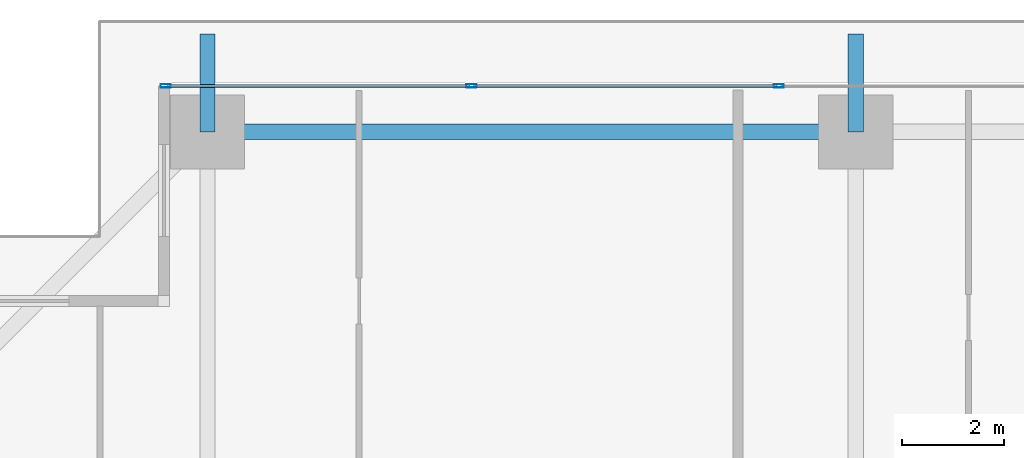
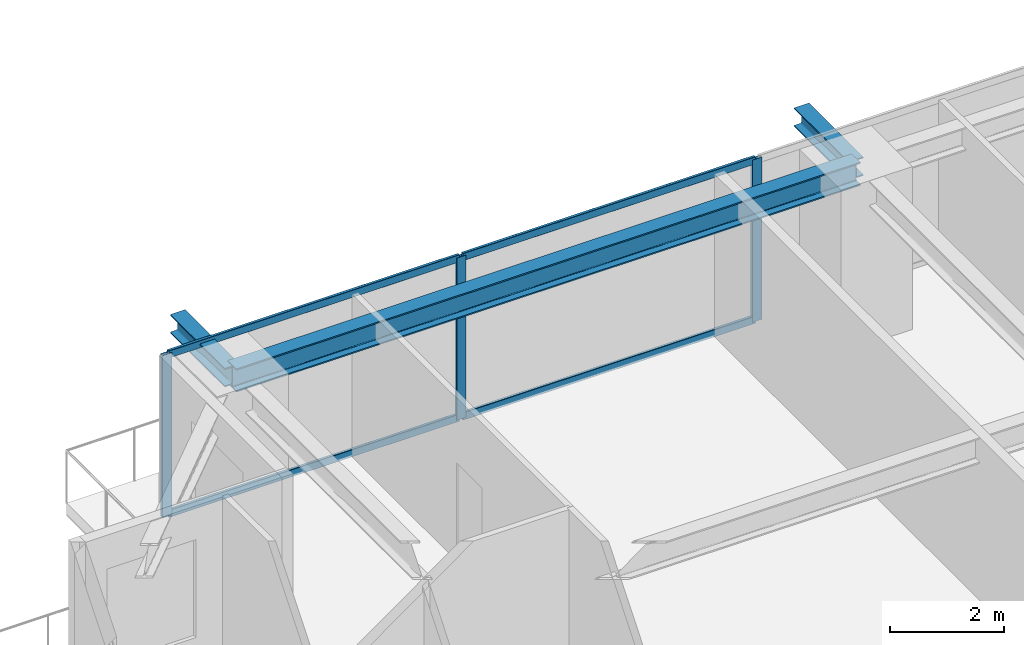
# One storey, part 19 of 39: 7 members, 3 beams, 1 element without a shape of its own.
"""IFC4 building model written with IfcOpenShell, lengths in metres."""

from ifc_helpers import new_model, si_unit, direction, frame, origin, origin_2d, place, context, subcontext, project, spatial, hollow_rectangle, i_section, extrude, source, transform, mapped, material, layer, layer_set, material_profile, profile_set, type_object, element, aggregate, save


model = new_model("IFC4")

# Units and contexts
model_context = context("Model", 3, precision=1e-05, world=origin(), true_north=direction((0.0, 1.0)))
body_context = subcontext(model_context, "Body", "Model", "MODEL_VIEW")
ifc_project = project(units=[si_unit("LENGTHUNIT", "METRE"), si_unit("AREAUNIT", "SQUARE_METRE"), si_unit("VOLUMEUNIT", "CUBIC_METRE"), si_unit("PLANEANGLEUNIT", "RADIAN"), si_unit("MASSUNIT", "GRAM", prefix="KILO")], contexts=[model_context])

# Site, building, storey
site_placement = place(None, origin())
site = spatial("IfcSite", under=ifc_project, at=site_placement, CompositionType="ELEMENT")
building_placement = place(site_placement, origin())
building = spatial("IfcBuilding", under=site, at=building_placement, Name="Serunith Strait Residences", CompositionType="ELEMENT")
storey_placement = place(building_placement, frame((0.0, 0.0, 60.449951171875)))
storey = spatial("IfcBuildingStorey", under=building, at=storey_placement, Name="L14", CompositionType="ELEMENT", Elevation=60.449951171875)

# Beams
ifc_material_1 = material(Name="Steel S355J2", Category="steel")
ifc_material_profile_1 = material_profile(ifc_material_1, i_section(OverallWidth=0.300048828125, OverallDepth=0.5, WebThickness=0.014404296875, FlangeThickness=0.028076171875, FilletRadius=0.027099609375, at=origin_2d()), Name="HEB 500")
ifc_profile_set_1 = profile_set([ifc_material_profile_1], Name="Steel S355J2")
beam_type_1 = type_object("IfcBeamType", Name="BM-HEB500", PredefinedType="BEAM", material=ifc_profile_set_1)
shared_shape_1 = source(origin(), body_context, "Body", "SweptSolid", [
    extrude(i_section(OverallWidth=0.300048828125, OverallDepth=0.5, WebThickness=0.014404296875, FlangeThickness=0.028076171875, FilletRadius=0.027099609375, at=origin_2d()), origin(), (0.0, 0.0, 1.0), 12.64990234375),
])
beam_placement = place(storey_placement, frame((27.89990234375, 49.300048828125, 3.237060546875), z_axis=(-1.0, 0.0, 0.0), x_axis=(0.0, -1.0, 0.0)))
element("IfcBeam", 1, at=beam_placement, inside=storey, type_object=beam_type_1, Name="L14 Perimeter Ring Beam 11", PredefinedType="BEAM", context=body_context, shape_type="MappedRepresentation", body=[
    mapped(shared_shape_1, transform((0.0, 0.0, 0.0), scale=1.0)),
])
ifc_material_profile_2 = material_profile(ifc_material_1, i_section(OverallWidth=0.300048828125, OverallDepth=0.39990234375, WebThickness=0.013427734375, FlangeThickness=0.02392578125, FilletRadius=0.027099609375, at=origin_2d()), Name="HEB 400")
ifc_profile_set_2 = profile_set([ifc_material_profile_2], Name="Steel S355J2")
beam_type_2 = type_object("IfcBeamType", Name="BM-HEB400", PredefinedType="BEAM", material=ifc_profile_set_2)
shared_shape_2 = source(origin(), body_context, "Body", "SweptSolid", [
    extrude(i_section(OverallWidth=0.300048828125, OverallDepth=0.39990234375, WebThickness=0.013427734375, FlangeThickness=0.02392578125, FilletRadius=0.027099609375, at=origin_2d()), origin(), (0.0, 0.0, 1.0), 1.909912109375),
])
for number, where, z_axis, x_axis, name in (
    (2, (15.25, 49.300048828125, 3.257080078125), (0.0, 1.0, 0.0), (-1.0, 0.0, 0.0), "L15 Cantilevered Balcony Rib TC-N1"),
    (3, (27.89990234375, 49.300048828125, 3.257080078125), (0.0, 1.0, 0.0), (-1.0, 0.0, 0.0), "L15 Cantilevered Balcony Rib TC-N2"),
):
    element("IfcBeam", number, at=place(storey_placement, frame(where, z_axis=z_axis, x_axis=x_axis)), inside=storey, type_object=beam_type_2, Name=name, PredefinedType="BEAM", context=body_context, shape_type="MappedRepresentation", body=[
        mapped(shared_shape_2, transform((0.0, 0.0, 0.0), scale=1.0)),
    ])

# Curtain wall, members
ifc_material_2 = material(Name="Pale-Champagne Anodised Aluminium", Category="aluminium")
ifc_layer = layer(ifc_material_2, 0.199951171875, Name="Pale-Champagne Anodised Aluminium")
ifc_layer_set = layer_set([ifc_layer], Name="Pale-Champagne Anodised Aluminium")
curtain_wall_type = type_object("IfcCurtainWallType", Name="CW-SYS1", PredefinedType="NOTDEFINED", material=ifc_layer_set)
curtain_wall_placement = place(storey_placement, origin())
curtain_wall = element("IfcCurtainWall", 4, at=curtain_wall_placement, inside=storey, type_object=curtain_wall_type, Name="L14 N Unitised Fritted Curtain Wall", PredefinedType="NOTDEFINED")
ifc_material_profile_3 = material_profile(ifc_material_2, hollow_rectangle(XDim=0.070068359375, YDim=0.199951171875, WallThickness=0.00390625, InnerFilletRadius=0.006103515625, OuterFilletRadius=0.010009765625, at=origin_2d()), Name="ALU 200x70x4")
ifc_profile_set_3 = profile_set([ifc_material_profile_3], Name="Pale-Champagne Anodised Aluminium")
member_type_1 = type_object("IfcMemberType", Name="CW-SYS1-MULL", PredefinedType="MULLION", material=ifc_profile_set_3)
shared_shape_3 = source(origin(), body_context, "Body", "SweptSolid", [
    extrude(hollow_rectangle(XDim=0.070068359375, YDim=0.199951171875, WallThickness=0.00390625, InnerFilletRadius=0.006103515625, OuterFilletRadius=0.010009765625, at=origin_2d()), origin(), (0.0, 0.0, 1.0), 3.47509765625),
])
member_1_placement = place(storey_placement, frame((26.39990234375, 50.199951171875, 0.0), z_axis=(0.0, 0.0, 1.0), x_axis=(0.0, -1.0, 0.0)))
member_1 = element("IfcMember", 5, at=member_1_placement, type_object=member_type_1, Name="CW-1 mullion 5", PredefinedType="MULLION", context=body_context, shape_type="MappedRepresentation", body=[
    mapped(shared_shape_3, transform((0.0, 0.0, 0.0), scale=1.0)),
])
member_2_placement = place(storey_placement, frame((20.39990234375, 50.199951171875, 0.0), z_axis=(0.0, 0.0, 1.0), x_axis=(0.0, -1.0, 0.0)))
member_2 = element("IfcMember", 6, at=member_2_placement, type_object=member_type_1, Name="CW-1 mullion 6", PredefinedType="MULLION", context=body_context, shape_type="MappedRepresentation", body=[
    mapped(shared_shape_3, transform((0.0, 0.0, 0.0), scale=1.0)),
])
member_3_placement = place(storey_placement, frame((14.43505859375, 50.199951171875, 0.0), z_axis=(0.0, 0.0, 1.0), x_axis=(0.0, -1.0, 0.0)))
member_3 = element("IfcMember", 7, at=member_3_placement, type_object=member_type_1, Name="CW-1 mullion 7", PredefinedType="MULLION", context=body_context, shape_type="MappedRepresentation", body=[
    mapped(shared_shape_3, transform((0.0, 0.0, 0.0), scale=1.0)),
])
ifc_material_profile_4 = material_profile(ifc_material_2, hollow_rectangle(XDim=0.06005859375, YDim=0.159912109375, WallThickness=0.00341796875, InnerFilletRadius=0.00537109375, OuterFilletRadius=0.0087890625, at=origin_2d()), Name="ALU 160x60x3.5")
ifc_profile_set_4 = profile_set([ifc_material_profile_4], Name="Pale-Champagne Anodised Aluminium")
member_type_2 = type_object("IfcMemberType", Name="CW-SYS1-TRAN", PredefinedType="USERDEFINED", material=ifc_profile_set_4)
shared_shape_4 = source(origin(), body_context, "Body", "SweptSolid", [
    extrude(hollow_rectangle(XDim=0.06005859375, YDim=0.159912109375, WallThickness=0.00341796875, InnerFilletRadius=0.00537109375, OuterFilletRadius=0.0087890625, at=origin_2d()), origin(), (0.0, 0.0, 1.0), 5.89501953125),
])
member_4_placement = place(storey_placement, frame((20.364990234375, 50.199951171875, 0.030029296875), z_axis=(-1.0, 0.0, 0.0), x_axis=(0.0, -1.0, 0.0)))
member_4 = element("IfcMember", 8, at=member_4_placement, type_object=member_type_2, Name="CW-1 transom 6.1", ObjectType="TRANSOM", PredefinedType="USERDEFINED", context=body_context, shape_type="MappedRepresentation", body=[
    mapped(shared_shape_4, transform((0.0, 0.0, 0.0), scale=1.0)),
])
member_5_placement = place(storey_placement, frame((20.364990234375, 50.199951171875, 3.445068359375), z_axis=(-1.0, 0.0, 0.0), x_axis=(0.0, -1.0, 0.0)))
member_5 = element("IfcMember", 9, at=member_5_placement, type_object=member_type_2, Name="CW-1 transom 6.2", ObjectType="TRANSOM", PredefinedType="USERDEFINED", context=body_context, shape_type="MappedRepresentation", body=[
    mapped(shared_shape_4, transform((0.0, 0.0, 0.0), scale=1.0)),
])
shared_shape_5 = source(origin(), body_context, "Body", "SweptSolid", [
    extrude(hollow_rectangle(XDim=0.06005859375, YDim=0.159912109375, WallThickness=0.00341796875, InnerFilletRadius=0.00537109375, OuterFilletRadius=0.0087890625, at=origin_2d()), origin(), (0.0, 0.0, 1.0), 5.929931640625),
])
member_6_placement = place(storey_placement, frame((26.364990234375, 50.199951171875, 0.030029296875), z_axis=(-1.0, 0.0, 0.0), x_axis=(0.0, -1.0, 0.0)))
member_6 = element("IfcMember", 10, at=member_6_placement, type_object=member_type_2, Name="CW-1 transom 5.1", ObjectType="TRANSOM", PredefinedType="USERDEFINED", context=body_context, shape_type="MappedRepresentation", body=[
    mapped(shared_shape_5, transform((0.0, 0.0, 0.0), scale=1.0)),
])
member_7_placement = place(storey_placement, frame((26.364990234375, 50.199951171875, 3.445068359375), z_axis=(-1.0, 0.0, 0.0), x_axis=(0.0, -1.0, 0.0)))
member_7 = element("IfcMember", 11, at=member_7_placement, type_object=member_type_2, Name="CW-1 transom 5.2", ObjectType="TRANSOM", PredefinedType="USERDEFINED", context=body_context, shape_type="MappedRepresentation", body=[
    mapped(shared_shape_5, transform((0.0, 0.0, 0.0), scale=1.0)),
])
aggregate(curtain_wall, [member_1, member_2, member_3, member_6, member_7, member_4, member_5])

save(model, "model.ifc")
